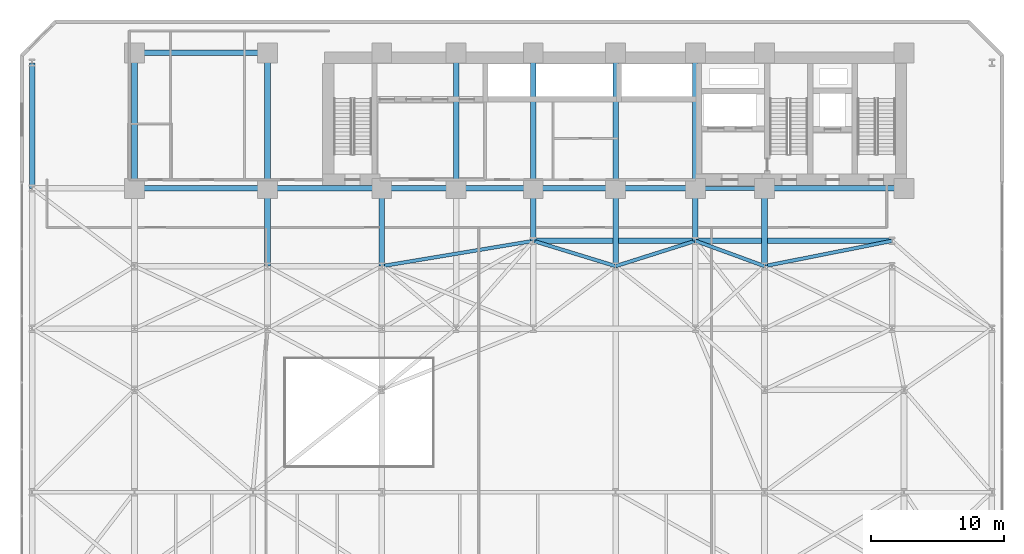
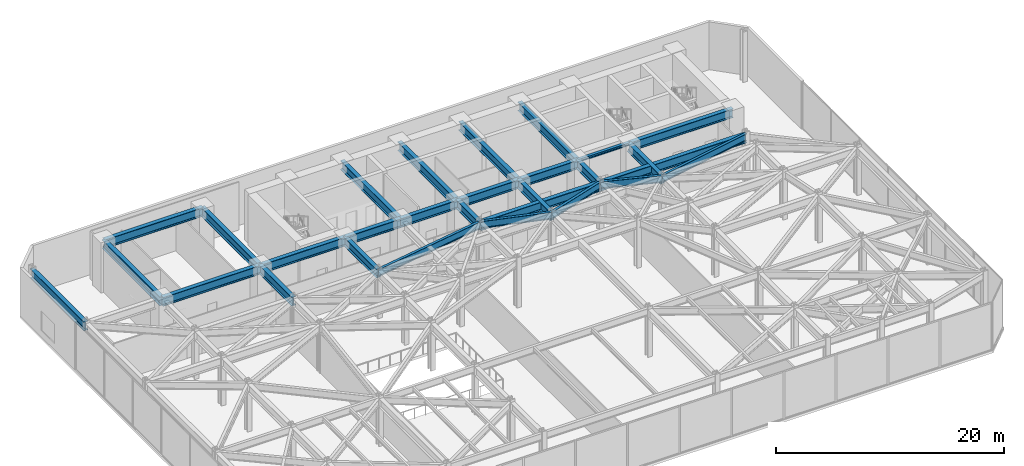
# One storey, part 20 of 29: 29 beams.
"""IFC4 building model written with IfcOpenShell, lengths in metres."""

from ifc_helpers import new_model, si_unit, direction, frame, origin, origin_2d, place, context, subcontext, project, spatial, i_section, extrude, material, material_profile, profile_set, type_object, element, save


model = new_model("IFC4")

# Units and contexts
model_context = context("Model", 3, precision=1e-05, world=origin(), true_north=direction((0.0, 1.0)))
body_context = subcontext(model_context, "Body", "Model", "MODEL_VIEW")
ifc_project = project(units=[si_unit("LENGTHUNIT", "METRE"), si_unit("AREAUNIT", "SQUARE_METRE"), si_unit("VOLUMEUNIT", "CUBIC_METRE"), si_unit("PLANEANGLEUNIT", "RADIAN"), si_unit("MASSUNIT", "GRAM", prefix="KILO")], contexts=[model_context])

# Site, building, storey
site_placement = place(None, origin())
site = spatial("IfcSite", under=ifc_project, at=site_placement, CompositionType="ELEMENT")
building_placement = place(site_placement, origin())
building = spatial("IfcBuilding", under=site, at=building_placement, Name="Kravanh Interchange Tower", CompositionType="ELEMENT")
storey_placement = place(building_placement, frame((0.0, 0.0, 5.39990234375)))
storey = spatial("IfcBuildingStorey", under=building, at=storey_placement, Name="L01", CompositionType="ELEMENT", Elevation=5.39990234375)

# Beams
ifc_material_1 = material(Name="Structural Steel S450", Category="steel")
ifc_material_profile_1 = material_profile(ifc_material_1, i_section(OverallWidth=0.423095703125, OverallDepth=0.947998046875, WebThickness=0.02392578125, FlangeThickness=0.042724609375, FilletRadius=0.028076171875, at=origin_2d()), Name="W36X302")
ifc_profile_set_1 = profile_set([ifc_material_profile_1], Name="Structural Steel S450")
beam_type_1 = type_object("IfcBeamType", Name="Floor Beam W36X302 Structural Steel S450", PredefinedType="BEAM", material=ifc_profile_set_1)
for number, where, z_axis, x_axis, name in (
    (1, (18.60009765625, 31.5, 4.656005859375), (0.0, 1.0, 0.0), (-1.0, 0.0, 0.0), "L01 Primary Floor Girder 108"),
    (2, (27.199951171875, 31.5, 4.656005859375), (0.0, 1.0, 0.0), (-1.0, 0.0, 0.0), "L01 Primary Floor Girder 110"),
    (3, (44.800048828125, 31.5, 4.656005859375), (0.0, 1.0, 0.0), (-1.0, 0.0, 0.0), "L01 Primary Floor Girder 113"),
    (4, (56.0, 31.5, 4.656005859375), (0.0, 1.0, 0.0), (-1.0, 0.0, 0.0), "L01 Primary Floor Girder 118"),
):
    element("IfcBeam", number, at=place(storey_placement, frame(where, z_axis=z_axis, x_axis=x_axis)), inside=storey, type_object=beam_type_1, Name=name, PredefinedType="BEAM", context=body_context, shape_type="SweptSolid", body=[
        extrude(i_section(OverallWidth=0.423095703125, OverallDepth=0.947998046875, WebThickness=0.02392578125, FlangeThickness=0.042724609375, FilletRadius=0.028076171875, at=origin_2d()), origin(), (0.0, 0.0, 1.0), 5.85009765625),
    ])
beam_1_placement = place(storey_placement, frame((0.89990234375, 37.35009765625, 4.656005859375), z_axis=(0.0, 1.0, 0.0), x_axis=(-1.0, 0.0, 0.0)))
element("IfcBeam", 5, at=beam_1_placement, inside=storey, type_object=beam_type_1, Name="L01 Primary Floor Girder 126", PredefinedType="BEAM", context=body_context, shape_type="SweptSolid", body=[
    extrude(i_section(OverallWidth=0.423095703125, OverallDepth=0.947998046875, WebThickness=0.02392578125, FlangeThickness=0.042724609375, FilletRadius=0.028076171875, at=origin_2d()), origin(), (0.0, 0.0, 1.0), 9.449951171875),
])
beam_2_placement = place(storey_placement, frame((38.60009765625, 33.39990234375, 4.656005859375), z_axis=(0.0, 1.0, 0.0), x_axis=(-1.0, 0.0, 0.0)))
element("IfcBeam", 6, at=beam_2_placement, inside=storey, type_object=beam_type_1, Name="L01 Primary Floor Girder 130", PredefinedType="BEAM", context=body_context, shape_type="SweptSolid", body=[
    extrude(i_section(OverallWidth=0.423095703125, OverallDepth=0.947998046875, WebThickness=0.02392578125, FlangeThickness=0.042724609375, FilletRadius=0.028076171875, at=origin_2d()), origin(), (0.0, 0.0, 1.0), 3.9501953125),
])
beam_3_placement = place(storey_placement, frame((38.60009765625, 33.39990234375, 4.656005859375), z_axis=(1.0, 0.0, 0.0), x_axis=(0.0, 1.0, 0.0)))
element("IfcBeam", 7, at=beam_3_placement, inside=storey, type_object=beam_type_1, Name="L01 Primary Floor Girder 131", PredefinedType="BEAM", context=body_context, shape_type="SweptSolid", body=[
    extrude(i_section(OverallWidth=0.423095703125, OverallDepth=0.947998046875, WebThickness=0.02392578125, FlangeThickness=0.042724609375, FilletRadius=0.028076171875, at=origin_2d()), origin(), (0.0, 0.0, 1.0), 12.199951171875),
])
beam_4_placement = place(storey_placement, frame((50.800048828125, 33.39990234375, 4.656005859375), z_axis=(0.0, 1.0, 0.0), x_axis=(-1.0, 0.0, 0.0)))
element("IfcBeam", 8, at=beam_4_placement, inside=storey, type_object=beam_type_1, Name="L01 Primary Floor Girder 132", PredefinedType="BEAM", context=body_context, shape_type="SweptSolid", body=[
    extrude(i_section(OverallWidth=0.423095703125, OverallDepth=0.947998046875, WebThickness=0.02392578125, FlangeThickness=0.042724609375, FilletRadius=0.028076171875, at=origin_2d()), origin(), (0.0, 0.0, 1.0), 3.9501953125),
])
beam_5_placement = place(storey_placement, frame((50.800048828125, 33.39990234375, 4.656005859375), z_axis=(1.0, 0.0, 0.0), x_axis=(0.0, 1.0, 0.0)))
element("IfcBeam", 9, at=beam_5_placement, inside=storey, type_object=beam_type_1, Name="L01 Primary Floor Girder 133", PredefinedType="BEAM", context=body_context, shape_type="SweptSolid", body=[
    extrude(i_section(OverallWidth=0.423095703125, OverallDepth=0.947998046875, WebThickness=0.02392578125, FlangeThickness=0.042724609375, FilletRadius=0.028076171875, at=origin_2d()), origin(), (0.0, 0.0, 1.0), 14.800048828125),
])
beam_6_placement = place(storey_placement, frame((66.5, 37.35009765625, 4.656005859375), z_axis=(-1.0, 0.0, 0.0), x_axis=(0.0, -1.0, 0.0)))
element("IfcBeam", 10, at=beam_6_placement, inside=storey, type_object=beam_type_1, Name="L01 Primary Floor Girder 138", PredefinedType="BEAM", context=body_context, shape_type="SweptSolid", body=[
    extrude(i_section(OverallWidth=0.423095703125, OverallDepth=0.947998046875, WebThickness=0.02392578125, FlangeThickness=0.042724609375, FilletRadius=0.028076171875, at=origin_2d()), origin(), (0.0, 0.0, 1.0), 10.5),
])
beam_7_placement = place(storey_placement, frame((50.800048828125, 47.550048828125, 4.656005859375), z_axis=(0.0, -1.0, 0.0), x_axis=(1.0, 0.0, 0.0)))
element("IfcBeam", 11, at=beam_7_placement, inside=storey, type_object=beam_type_1, Name="L01 Primary Floor Girder 141", PredefinedType="BEAM", context=body_context, shape_type="SweptSolid", body=[
    extrude(i_section(OverallWidth=0.423095703125, OverallDepth=0.947998046875, WebThickness=0.02392578125, FlangeThickness=0.042724609375, FilletRadius=0.028076171875, at=origin_2d()), origin(), (0.0, 0.0, 1.0), 10.199951171875),
])
beam_8_placement = place(storey_placement, frame((50.800048828125, 37.35009765625, 4.656005859375), z_axis=(-1.0, 0.0, 0.0), x_axis=(0.0, -1.0, 0.0)))
element("IfcBeam", 12, at=beam_8_placement, inside=storey, type_object=beam_type_1, Name="L01 Primary Floor Girder 142", PredefinedType="BEAM", context=body_context, shape_type="SweptSolid", body=[
    extrude(i_section(OverallWidth=0.423095703125, OverallDepth=0.947998046875, WebThickness=0.02392578125, FlangeThickness=0.042724609375, FilletRadius=0.028076171875, at=origin_2d()), origin(), (0.0, 0.0, 1.0), 6.0),
])
beam_9_placement = place(storey_placement, frame((44.800048828125, 37.35009765625, 4.656005859375), z_axis=(-1.0, 0.0, 0.0), x_axis=(0.0, -1.0, 0.0)))
element("IfcBeam", 13, at=beam_9_placement, inside=storey, type_object=beam_type_1, Name="L01 Primary Floor Girder 143", PredefinedType="BEAM", context=body_context, shape_type="SweptSolid", body=[
    extrude(i_section(OverallWidth=0.423095703125, OverallDepth=0.947998046875, WebThickness=0.02392578125, FlangeThickness=0.042724609375, FilletRadius=0.028076171875, at=origin_2d()), origin(), (0.0, 0.0, 1.0), 6.199951171875),
])
beam_10_placement = place(storey_placement, frame((44.800048828125, 37.35009765625, 4.656005859375), z_axis=(0.0, 1.0, 0.0), x_axis=(-1.0, 0.0, 0.0)))
element("IfcBeam", 14, at=beam_10_placement, inside=storey, type_object=beam_type_1, Name="L01 Primary Floor Girder 144", PredefinedType="BEAM", context=body_context, shape_type="SweptSolid", body=[
    extrude(i_section(OverallWidth=0.423095703125, OverallDepth=0.947998046875, WebThickness=0.02392578125, FlangeThickness=0.042724609375, FilletRadius=0.028076171875, at=origin_2d()), origin(), (0.0, 0.0, 1.0), 10.199951171875),
])
beam_11_placement = place(storey_placement, frame((38.60009765625, 37.35009765625, 4.656005859375), z_axis=(-1.0, 0.0, 0.0), x_axis=(0.0, -1.0, 0.0)))
element("IfcBeam", 15, at=beam_11_placement, inside=storey, type_object=beam_type_1, Name="L01 Primary Floor Girder 146", PredefinedType="BEAM", context=body_context, shape_type="SweptSolid", body=[
    extrude(i_section(OverallWidth=0.423095703125, OverallDepth=0.947998046875, WebThickness=0.02392578125, FlangeThickness=0.042724609375, FilletRadius=0.028076171875, at=origin_2d()), origin(), (0.0, 0.0, 1.0), 5.800048828125),
])
beam_12_placement = place(storey_placement, frame((38.60009765625, 37.35009765625, 4.656005859375), z_axis=(0.0, 1.0, 0.0), x_axis=(-1.0, 0.0, 0.0)))
element("IfcBeam", 16, at=beam_12_placement, inside=storey, type_object=beam_type_1, Name="L01 Primary Floor Girder 147", PredefinedType="BEAM", context=body_context, shape_type="SweptSolid", body=[
    extrude(i_section(OverallWidth=0.423095703125, OverallDepth=0.947998046875, WebThickness=0.02392578125, FlangeThickness=0.042724609375, FilletRadius=0.028076171875, at=origin_2d()), origin(), (0.0, 0.0, 1.0), 10.199951171875),
])
beam_13_placement = place(storey_placement, frame((32.800048828125, 37.35009765625, 4.656005859375), z_axis=(-1.0, 0.0, 0.0), x_axis=(0.0, -1.0, 0.0)))
element("IfcBeam", 17, at=beam_13_placement, inside=storey, type_object=beam_type_1, Name="L01 Primary Floor Girder 149", PredefinedType="BEAM", context=body_context, shape_type="SweptSolid", body=[
    extrude(i_section(OverallWidth=0.423095703125, OverallDepth=0.947998046875, WebThickness=0.02392578125, FlangeThickness=0.042724609375, FilletRadius=0.028076171875, at=origin_2d()), origin(), (0.0, 0.0, 1.0), 5.60009765625),
])
beam_14_placement = place(storey_placement, frame((32.800048828125, 37.35009765625, 4.656005859375), z_axis=(0.0, 1.0, 0.0), x_axis=(-1.0, 0.0, 0.0)))
element("IfcBeam", 18, at=beam_14_placement, inside=storey, type_object=beam_type_1, Name="L01 Primary Floor Girder 150", PredefinedType="BEAM", context=body_context, shape_type="SweptSolid", body=[
    extrude(i_section(OverallWidth=0.423095703125, OverallDepth=0.947998046875, WebThickness=0.02392578125, FlangeThickness=0.042724609375, FilletRadius=0.028076171875, at=origin_2d()), origin(), (0.0, 0.0, 1.0), 10.199951171875),
])
beam_15_placement = place(storey_placement, frame((27.199951171875, 37.35009765625, 4.656005859375), z_axis=(-1.0, 0.0, 0.0), x_axis=(0.0, -1.0, 0.0)))
element("IfcBeam", 19, at=beam_15_placement, inside=storey, type_object=beam_type_1, Name="L01 Primary Floor Girder 152", PredefinedType="BEAM", context=body_context, shape_type="SweptSolid", body=[
    extrude(i_section(OverallWidth=0.423095703125, OverallDepth=0.947998046875, WebThickness=0.02392578125, FlangeThickness=0.042724609375, FilletRadius=0.028076171875, at=origin_2d()), origin(), (0.0, 0.0, 1.0), 8.599853515625),
])
beam_16_placement = place(storey_placement, frame((18.60009765625, 37.35009765625, 4.656005859375), z_axis=(-1.0, 0.0, 0.0), x_axis=(0.0, -1.0, 0.0)))
element("IfcBeam", 20, at=beam_16_placement, inside=storey, type_object=beam_type_1, Name="L01 Primary Floor Girder 155", PredefinedType="BEAM", context=body_context, shape_type="SweptSolid", body=[
    extrude(i_section(OverallWidth=0.423095703125, OverallDepth=0.947998046875, WebThickness=0.02392578125, FlangeThickness=0.042724609375, FilletRadius=0.028076171875, at=origin_2d()), origin(), (0.0, 0.0, 1.0), 10.0),
])
beam_17_placement = place(storey_placement, frame((18.60009765625, 37.35009765625, 4.656005859375), z_axis=(0.0, 1.0, 0.0), x_axis=(-1.0, 0.0, 0.0)))
element("IfcBeam", 21, at=beam_17_placement, inside=storey, type_object=beam_type_1, Name="L01 Primary Floor Girder 156", PredefinedType="BEAM", context=body_context, shape_type="SweptSolid", body=[
    extrude(i_section(OverallWidth=0.423095703125, OverallDepth=0.947998046875, WebThickness=0.02392578125, FlangeThickness=0.042724609375, FilletRadius=0.028076171875, at=origin_2d()), origin(), (0.0, 0.0, 1.0), 10.199951171875),
])
beam_18_placement = place(storey_placement, frame((18.60009765625, 47.550048828125, 4.656005859375), z_axis=(-1.0, 0.0, 0.0), x_axis=(0.0, -1.0, 0.0)))
element("IfcBeam", 22, at=beam_18_placement, inside=storey, type_object=beam_type_1, Name="L01 Primary Floor Girder 157", PredefinedType="BEAM", context=body_context, shape_type="SweptSolid", body=[
    extrude(i_section(OverallWidth=0.423095703125, OverallDepth=0.947998046875, WebThickness=0.02392578125, FlangeThickness=0.042724609375, FilletRadius=0.028076171875, at=origin_2d()), origin(), (0.0, 0.0, 1.0), 10.0),
])
beam_19_placement = place(storey_placement, frame((8.60009765625, 37.35009765625, 4.656005859375), z_axis=(0.0, 1.0, 0.0), x_axis=(-1.0, 0.0, 0.0)))
element("IfcBeam", 23, at=beam_19_placement, inside=storey, type_object=beam_type_1, Name="L01 Primary Floor Girder 158", PredefinedType="BEAM", context=body_context, shape_type="SweptSolid", body=[
    extrude(i_section(OverallWidth=0.423095703125, OverallDepth=0.947998046875, WebThickness=0.02392578125, FlangeThickness=0.042724609375, FilletRadius=0.028076171875, at=origin_2d()), origin(), (0.0, 0.0, 1.0), 10.199951171875),
])
ifc_material_2 = material(Name="Structural Steel S355", Category="steel")
ifc_material_profile_2 = material_profile(ifc_material_2, i_section(OverallWidth=0.304931640625, OverallDepth=0.306884765625, WebThickness=0.010009765625, FlangeThickness=0.015380859375, FilletRadius=0.014892578125, at=origin_2d()), Name="W12X65")
ifc_profile_set_2 = profile_set([ifc_material_profile_2], Name="Structural Steel S355")
beam_type_2 = type_object("IfcBeamType", Name="Floor Lintel W12X65 Structural Steel S355", PredefinedType="LINTEL", material=ifc_profile_set_2)
beam_20_placement = place(storey_placement, frame((50.800048828125, 37.35009765625, 4.9765625), z_axis=(1.0, 0.0, 0.0), x_axis=(0.0, 1.0, 0.0)))
element("IfcBeam", 24, at=beam_20_placement, inside=storey, type_object=beam_type_2, Name="L01 Core Coupling Lintel 1", PredefinedType="LINTEL", context=body_context, shape_type="SweptSolid", body=[
    extrude(i_section(OverallWidth=0.304931640625, OverallDepth=0.306884765625, WebThickness=0.010009765625, FlangeThickness=0.015380859375, FilletRadius=0.014892578125, at=origin_2d()), origin(), (0.0, 0.0, 1.0), 5.199951171875),
])
ifc_material_3 = material(Name="Structural Steel S355", Category="steel")
ifc_material_profile_3 = material_profile(ifc_material_3, i_section(OverallWidth=0.26708984375, OverallDepth=0.761962890625, WebThickness=0.014404296875, FlangeThickness=0.021484375, FilletRadius=0.02490234375, at=origin_2d()), Name="W30X116")
ifc_profile_set_3 = profile_set([ifc_material_profile_3], Name="Structural Steel S355")
beam_type_3 = type_object("IfcBeamType", Name="Floor Spandrel W30X116 Structural Steel S355", PredefinedType="SPANDREL", material=ifc_profile_set_3)
beam_21_placement = place(storey_placement, frame((27.199951171875, 31.5, 4.7490234375), z_axis=(0.986395636554, 0.164388710647, 0.0), x_axis=(-0.164388710647, 0.986395636554, 0.0)))
element("IfcBeam", 25, at=beam_21_placement, inside=storey, type_object=beam_type_3, Name="L01 Perimeter Spandrel 111", PredefinedType="SPANDREL", context=body_context, shape_type="SweptSolid", body=[
    extrude(i_section(OverallWidth=0.26708984375, OverallDepth=0.761962890625, WebThickness=0.014404296875, FlangeThickness=0.021484375, FilletRadius=0.02490234375, at=origin_2d()), origin(), (0.0, 0.0, 1.0), 11.557373046875),
])
beam_22_placement = place(storey_placement, frame((44.800048828125, 31.5, 4.7490234375), z_axis=(0.953346691051, 0.301877602122, 0.0), x_axis=(-0.301877602122, 0.953346691051, 0.0)))
element("IfcBeam", 26, at=beam_22_placement, inside=storey, type_object=beam_type_3, Name="L01 Perimeter Spandrel 114", PredefinedType="SPANDREL", context=body_context, shape_type="SweptSolid", body=[
    extrude(i_section(OverallWidth=0.26708984375, OverallDepth=0.761962890625, WebThickness=0.014404296875, FlangeThickness=0.021484375, FilletRadius=0.02490234375, at=origin_2d()), origin(), (0.0, 0.0, 1.0), 6.293701171875),
])
beam_23_placement = place(storey_placement, frame((44.800048828125, 31.5, 4.7490234375), z_axis=(-0.956115397264, 0.292990353279, 0.0), x_axis=(-0.292990353279, -0.956115397264, 0.0)))
element("IfcBeam", 27, at=beam_23_placement, inside=storey, type_object=beam_type_3, Name="L01 Perimeter Spandrel 115", PredefinedType="SPANDREL", context=body_context, shape_type="SweptSolid", body=[
    extrude(i_section(OverallWidth=0.26708984375, OverallDepth=0.761962890625, WebThickness=0.014404296875, FlangeThickness=0.021484375, FilletRadius=0.02490234375, at=origin_2d()), origin(), (0.0, 0.0, 1.0), 6.484619140625),
])
beam_24_placement = place(storey_placement, frame((56.0, 31.5, 4.7490234375), z_axis=(-0.93926957103, 0.343180233896, 0.0), x_axis=(-0.343180233896, -0.93926957103, 0.0)))
element("IfcBeam", 28, at=beam_24_placement, inside=storey, type_object=beam_type_3, Name="L01 Perimeter Spandrel 117", PredefinedType="SPANDREL", context=body_context, shape_type="SweptSolid", body=[
    extrude(i_section(OverallWidth=0.26708984375, OverallDepth=0.761962890625, WebThickness=0.014404296875, FlangeThickness=0.021484375, FilletRadius=0.02490234375, at=origin_2d()), origin(), (0.0, 0.0, 1.0), 5.5361328125),
])
beam_25_placement = place(storey_placement, frame((56.0, 31.5, 4.7490234375), z_axis=(0.980974000807, 0.194139150457, 0.0), x_axis=(-0.194139150457, 0.980974000807, 0.0)))
element("IfcBeam", 29, at=beam_25_placement, inside=storey, type_object=beam_type_3, Name="L01 Perimeter Spandrel 120", PredefinedType="SPANDREL", context=body_context, shape_type="SweptSolid", body=[
    extrude(i_section(OverallWidth=0.26708984375, OverallDepth=0.761962890625, WebThickness=0.014404296875, FlangeThickness=0.021484375, FilletRadius=0.02490234375, at=origin_2d()), origin(), (0.0, 0.0, 1.0), 9.786376953125),
])

save(model, "model.ifc")
